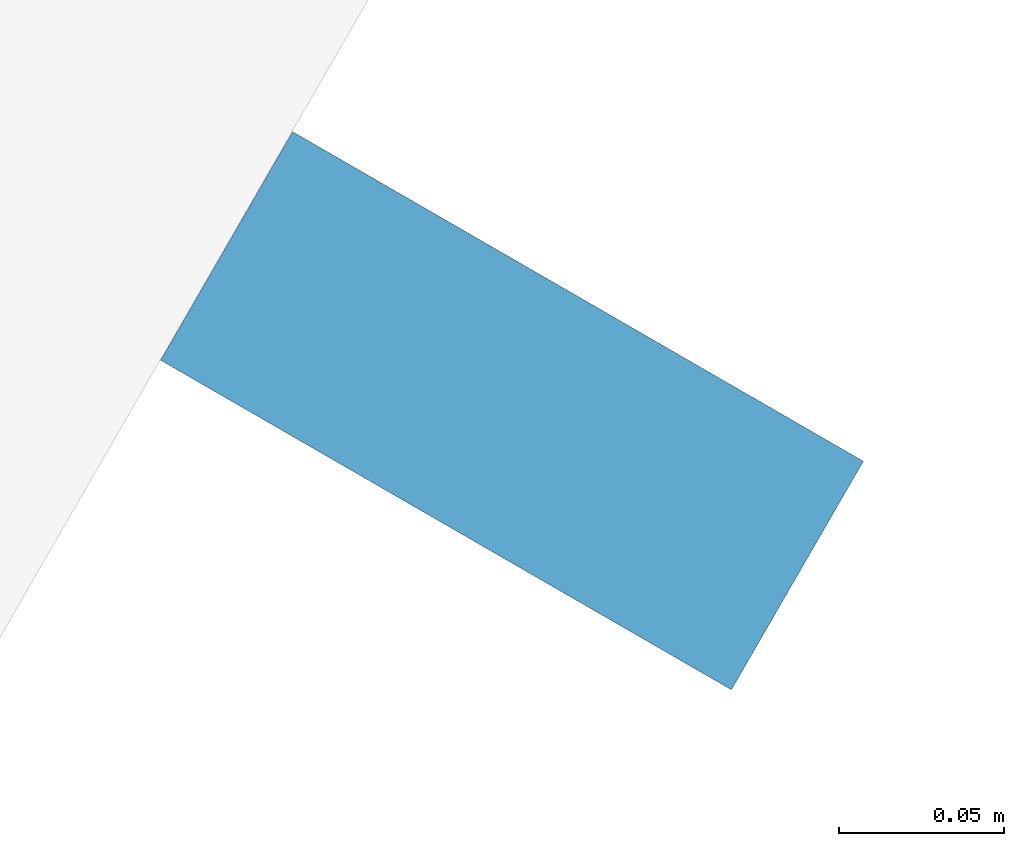
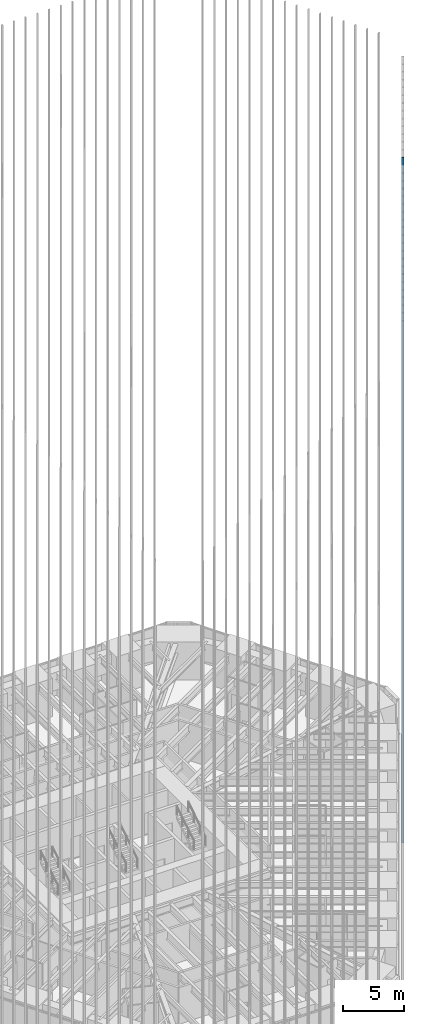
# One storey, part 115 of 256: 1 member, 1 element without a shape of its own.
"""IFC4 building model written with IfcOpenShell, lengths in metres."""

from ifc_helpers import new_model, si_unit, direction, frame, origin, origin_2d, place, context, subcontext, project, spatial, rectangle, extrude, material, material_profile, profile_set, type_object, element, aggregate, save


model = new_model("IFC4")

# Units and contexts
model_context = context("Model", 3, precision=1e-05, world=origin(), true_north=direction((0.0, 1.0)))
body_context = subcontext(model_context, "Body", "Model", "MODEL_VIEW")
ifc_project = project(units=[si_unit("LENGTHUNIT", "METRE"), si_unit("AREAUNIT", "SQUARE_METRE"), si_unit("VOLUMEUNIT", "CUBIC_METRE"), si_unit("PLANEANGLEUNIT", "RADIAN"), si_unit("MASSUNIT", "GRAM", prefix="KILO")], contexts=[model_context])

# Site, building, storey
site_placement = place(None, origin())
site = spatial("IfcSite", under=ifc_project, at=site_placement, CompositionType="ELEMENT")
building_placement = place(site_placement, origin())
building = spatial("IfcBuilding", under=site, at=building_placement, Name="Sandreach Pilgrim Tower", CompositionType="ELEMENT")
storey_placement = place(building_placement, frame((0.0, 0.0, 23.0)))
storey = spatial("IfcBuildingStorey", under=building, at=storey_placement, Name="L04", CompositionType="ELEMENT", Elevation=23.0)

# Curtain wall, member
ifc_material_1 = material(Name="Aluminium framed curtain wall", Category="aluminium")
curtain_wall_type = type_object("IfcCurtainWallType", Name="Hostel tower curtain wall", PredefinedType="NOTDEFINED", material=ifc_material_1)
curtain_wall_placement = place(storey_placement, origin())
curtain_wall = element("IfcCurtainWall", 1, at=curtain_wall_placement, inside=storey, type_object=curtain_wall_type, Name="CW-1 L04 SE", PredefinedType="NOTDEFINED")
ifc_material_2 = material(Name="Extruded terracotta on aluminium core", Category="masonry")
ifc_material_profile = material_profile(ifc_material_2, rectangle(XDim=0.080078125, YDim=0.199951171875, at=origin_2d()), Name="TBE 80X200")
ifc_profile_set = profile_set([ifc_material_profile], Name="Extruded terracotta on aluminium core")
member_type = type_object("IfcMemberType", Name="Terracotta baguette east", PredefinedType="USERDEFINED", material=ifc_profile_set)
member_placement = place(storey_placement, frame((23.298095703125, -8.343994140625, 0.0), z_axis=(0.0, 0.0, 1.0), x_axis=(-0.5, -0.866025403784, 0.0)))
member = element("IfcMember", 2, at=member_placement, type_object=member_type, Name="Baguette Z1 SE14", ObjectType="BAGUETTE", PredefinedType="USERDEFINED", context=body_context, shape_type="SweptSolid", body=[
    extrude(rectangle(XDim=0.080078125, YDim=0.199951171875, at=origin_2d()), origin(), (0.0, 0.0, 1.0), 68.239990234375),
])
aggregate(curtain_wall, [member])

save(model, "model.ifc")
